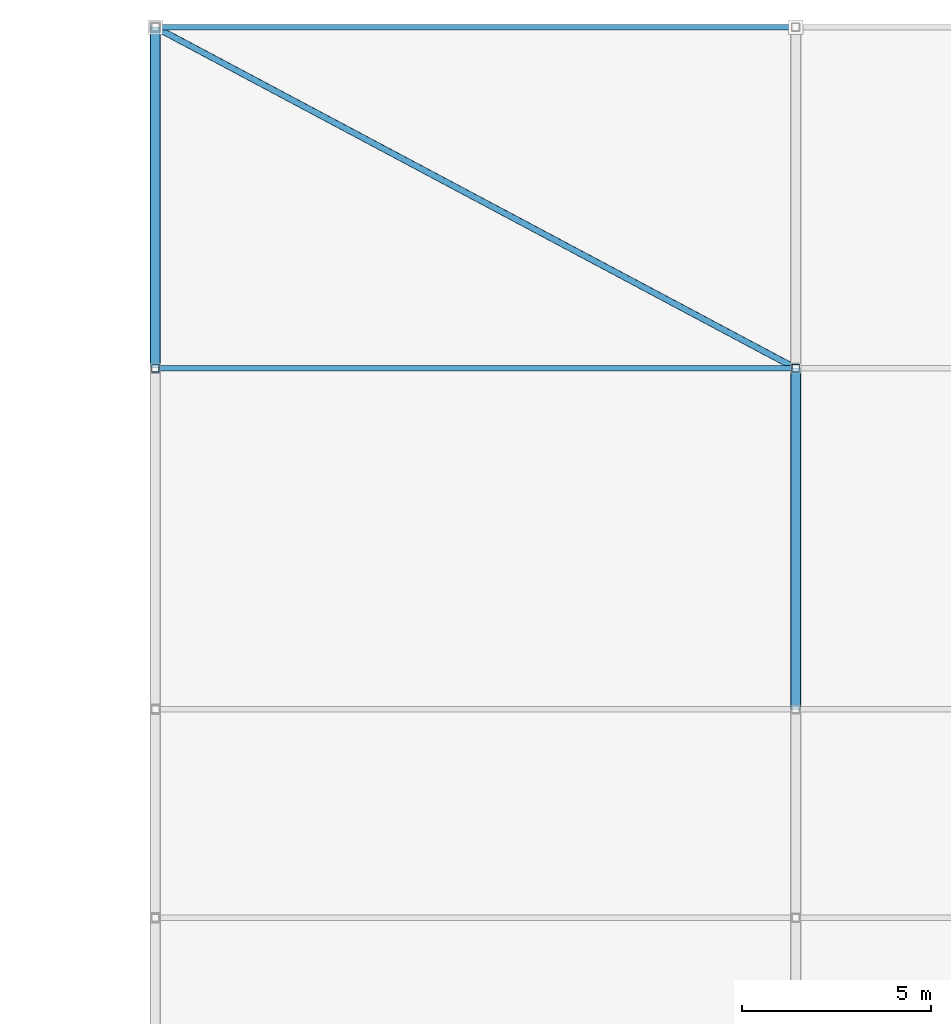
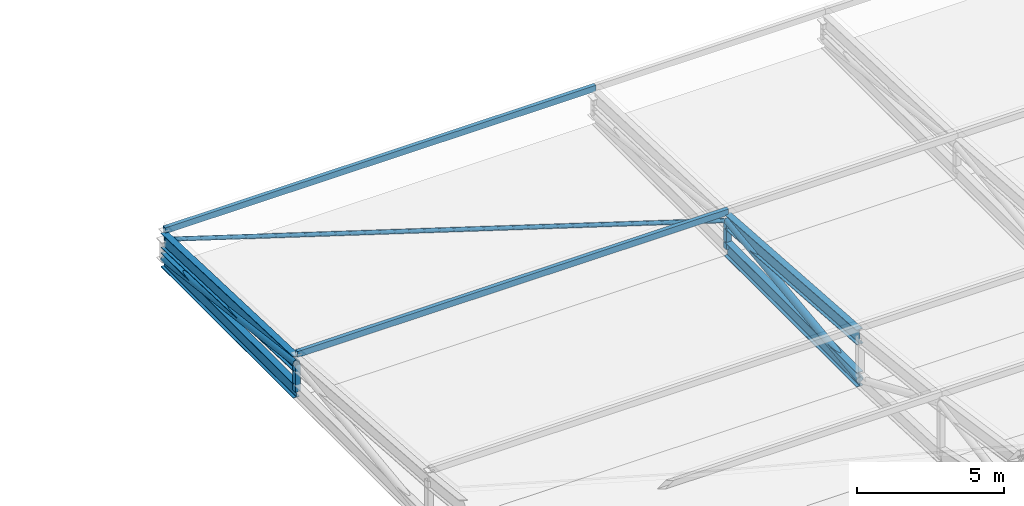
# One storey, part 68 of 114: 7 members, 4 beams.
"""IFC4 building model written with IfcOpenShell, lengths in metres."""

from ifc_helpers import new_model, si_unit, direction, frame, origin, origin_2d, place, context, subcontext, project, spatial, hollow_rectangle, hollow_circle, i_section, extrude, material, material_profile, profile_set, type_object, element, save


model = new_model("IFC4")

# Units and contexts
model_context = context("Model", 3, precision=1e-05, world=origin(), true_north=direction((0.0, 1.0)))
body_context = subcontext(model_context, "Body", "Model", "MODEL_VIEW")
ifc_project = project(units=[si_unit("LENGTHUNIT", "METRE"), si_unit("AREAUNIT", "SQUARE_METRE"), si_unit("VOLUMEUNIT", "CUBIC_METRE"), si_unit("PLANEANGLEUNIT", "RADIAN"), si_unit("MASSUNIT", "GRAM", prefix="KILO"), si_unit("THERMODYNAMICTEMPERATUREUNIT", "KELVIN"), si_unit("POWERUNIT", "WATT")], contexts=[model_context])

# Site, building, storey
site_placement = place(None, origin())
site = spatial("IfcSite", under=ifc_project, at=site_placement, CompositionType="ELEMENT")
building_placement = place(site_placement, origin())
building = spatial("IfcBuilding", under=site, at=building_placement, Name="Sindhuravela Promenade Stadium", CompositionType="ELEMENT")
storey_placement = place(building_placement, frame((0.0, 0.0, 24.0)))
storey = spatial("IfcBuildingStorey", under=building, at=storey_placement, Name="L05", CompositionType="ELEMENT", Elevation=24.0)

# Beams
ifc_material = material(Name="Steel E350 (IS 2062 E350BR)", Category="steel")
ifc_material_profile_1 = material_profile(ifc_material, i_section(OverallWidth=0.25, OverallDepth=0.60009765625, WebThickness=0.01171875, FlangeThickness=0.023681640625, FilletRadius=0.01708984375, at=origin_2d()), Name="ISWB 600")
ifc_profile_set_1 = profile_set([ifc_material_profile_1], Name="Steel E350 (IS 2062 E350BR)")
beam_type = type_object("IfcBeamType", Name="ST-BM-WB600", PredefinedType="USERDEFINED", material=ifc_profile_set_1)
beam_1_placement = place(storey_placement, frame((55.10009765625, 153.0, 0.800048828125), z_axis=(0.0, -0.9993399990381225, 0.03632583546850814), x_axis=(1.0, 0.0, 0.0)))
element("IfcBeam", 1, at=beam_1_placement, inside=storey, type_object=beam_type, Name="Roof truss RT-N01 top chord 1", ObjectType="ROOF TRUSS", PredefinedType="USERDEFINED", context=body_context, shape_type="SweptSolid", body=[
    extrude(i_section(OverallWidth=0.25, OverallDepth=0.60009765625, WebThickness=0.01171875, FlangeThickness=0.023681640625, FilletRadius=0.01708984375, at=origin_2d()), origin(), (0.0, 0.0, 1.0), 9.005859375),
])
beam_2_placement = place(storey_placement, frame((55.10009765625, 153.0, 0.0), z_axis=(0.0, -1.0, 0.0), x_axis=(1.0, 0.0, 0.0)))
element("IfcBeam", 2, at=beam_2_placement, inside=storey, type_object=beam_type, Name="Roof truss RT-N01 bottom chord 1", ObjectType="ROOF TRUSS", PredefinedType="USERDEFINED", context=body_context, shape_type="SweptSolid", body=[
    extrude(i_section(OverallWidth=0.25, OverallDepth=0.60009765625, WebThickness=0.01171875, FlangeThickness=0.023681640625, FilletRadius=0.01708984375, at=origin_2d()), origin(), (0.0, 0.0, 1.0), 9.0),
])
beam_3_placement = place(storey_placement, frame((72.0, 144.0, 1.127197265625), z_axis=(0.0, -0.9975125305940163, 0.07048937017679613), x_axis=(1.0, 0.0, 0.0)))
element("IfcBeam", 3, at=beam_3_placement, inside=storey, type_object=beam_type, Name="Roof truss RT-N02 top chord 2", ObjectType="ROOF TRUSS", PredefinedType="USERDEFINED", context=body_context, shape_type="SweptSolid", body=[
    extrude(i_section(OverallWidth=0.25, OverallDepth=0.60009765625, WebThickness=0.01171875, FlangeThickness=0.023681640625, FilletRadius=0.01708984375, at=origin_2d()), origin(), (0.0, 0.0, 1.0), 9.0224609375),
])
beam_4_placement = place(storey_placement, frame((72.0, 144.0, 0.0), z_axis=(0.0, -1.0, 0.0), x_axis=(1.0, 0.0, 0.0)))
element("IfcBeam", 4, at=beam_4_placement, inside=storey, type_object=beam_type, Name="Roof truss RT-N02 bottom chord 2", ObjectType="ROOF TRUSS", PredefinedType="USERDEFINED", context=body_context, shape_type="SweptSolid", body=[
    extrude(i_section(OverallWidth=0.25, OverallDepth=0.60009765625, WebThickness=0.01171875, FlangeThickness=0.023681640625, FilletRadius=0.01708984375, at=origin_2d()), origin(), (0.0, 0.0, 1.0), 9.0),
])

# Members
ifc_material_profile_2 = material_profile(ifc_material, hollow_circle(Radius=0.084228515625, WallThickness=0.008056640625, at=origin_2d()), Name="CHS 168.3x8")
ifc_profile_set_2 = profile_set([ifc_material_profile_2], Name="Steel E350 (IS 2062 E350BR)")
member_type_1 = type_object("IfcMemberType", Name="ST-MB-CHS168", PredefinedType="BRACE", material=ifc_profile_set_2)
member_placement = place(storey_placement, frame((55.10009765625, 153.0, 0.800048828125), z_axis=(0.8825119859904523, -0.46997951303851426, 0.017083673705284536), x_axis=(0.47004811026268134, 0.882640795589283, 0.0)))
element("IfcMember", 5, at=member_placement, inside=storey, type_object=member_type_1, Name="Roof wind brace MB03 N bay 1", PredefinedType="BRACE", context=body_context, shape_type="SweptSolid", body=[
    extrude(hollow_circle(Radius=0.084228515625, WallThickness=0.008056640625, at=origin_2d()), origin(), (0.0, 0.0, 1.0), 19.149658203125),
])
ifc_material_profile_3 = material_profile(ifc_material, hollow_circle(Radius=0.136474609375, WallThickness=0.010009765625, at=origin_2d()), Name="CHS 273.0x10")
ifc_profile_set_3 = profile_set([ifc_material_profile_3], Name="Steel E350 (IS 2062 E350BR)")
member_type_2 = type_object("IfcMemberType", Name="ST-MB-CHS273", PredefinedType="BRACE", material=ifc_profile_set_3)
for number, where, z_axis, x_axis, name in (
    (6, (55.10009765625, 153.0, 0.0), (0.0, -0.9922480329009012, 0.12427325216752011), (1.0, 0.0, 0.0), "Roof truss RT-N01 diagonal web 1"),
    (7, (72.0, 144.0, 1.127197265625), (0.0, -0.9922480329009012, -0.12427325216752011), (1.0, 0.0, 0.0), "Roof truss RT-N02 diagonal web 2"),
):
    element("IfcMember", number, at=place(storey_placement, frame(where, z_axis=z_axis, x_axis=x_axis)), inside=storey, type_object=member_type_2, Name=name, PredefinedType="BRACE", context=body_context, shape_type="SweptSolid", body=[
        extrude(hollow_circle(Radius=0.136474609375, WallThickness=0.010009765625, at=origin_2d()), origin(), (0.0, 0.0, 1.0), 9.0703125),
    ])
ifc_material_profile_4 = material_profile(ifc_material, hollow_rectangle(XDim=0.14990234375, YDim=0.25, WallThickness=0.010009765625, at=origin_2d()), Name="RHS 250x150x10")
ifc_profile_set_4 = profile_set([ifc_material_profile_4], Name="Steel E350 (IS 2062 E350BR)")
member_type_3 = type_object("IfcMemberType", Name="ST-MB-RHS250", PredefinedType="PURLIN", material=ifc_profile_set_4)
for number, where, z_axis, x_axis, name in (
    (8, (55.10009765625, 153.0, 1.19189453125), (1.0, 0.0, 0.0), (0.0, 1.0, 0.0), "Roof purlin PR01 N bay 1.1"),
    (9, (55.10009765625, 144.0, 1.51904296875), (1.0, 0.0, 0.0), (0.0, 1.0, 0.0), "Roof purlin PR01 N bay 1.2"),
):
    element("IfcMember", number, at=place(storey_placement, frame(where, z_axis=z_axis, x_axis=x_axis)), inside=storey, type_object=member_type_3, Name=name, PredefinedType="PURLIN", context=body_context, shape_type="SweptSolid", body=[
        extrude(hollow_rectangle(XDim=0.14990234375, YDim=0.25, WallThickness=0.010009765625, at=origin_2d()), origin(), (0.0, 0.0, 1.0), 16.89990234375),
    ])
ifc_material_profile_5 = material_profile(ifc_material, hollow_rectangle(XDim=0.199951171875, YDim=0.199951171875, WallThickness=0.010009765625, at=origin_2d()), Name="SHS 200x200x10")
ifc_profile_set_5 = profile_set([ifc_material_profile_5], Name="Steel E350 (IS 2062 E350BR)")
member_type_4 = type_object("IfcMemberType", Name="ST-MB-SHS200", PredefinedType="POST", material=ifc_profile_set_5)
for number, where, z_axis, x_axis, name in (
    (10, (55.10009765625, 144.0, 0.0), (0.0, 0.0, 1.0), (1.0, 0.0, 0.0), "Roof truss RT-N01 vertical post 2"),
    (11, (72.0, 144.0, 0.0), (0.0, 0.0, 1.0), (1.0, 0.0, 0.0), "Roof truss RT-N02 vertical post 2"),
):
    element("IfcMember", number, at=place(storey_placement, frame(where, z_axis=z_axis, x_axis=x_axis)), inside=storey, type_object=member_type_4, Name=name, PredefinedType="POST", context=body_context, shape_type="SweptSolid", body=[
        extrude(hollow_rectangle(XDim=0.199951171875, YDim=0.199951171875, WallThickness=0.010009765625, at=origin_2d()), origin(), (0.0, 0.0, 1.0), 1.127197265625),
    ])

save(model, "model.ifc")
